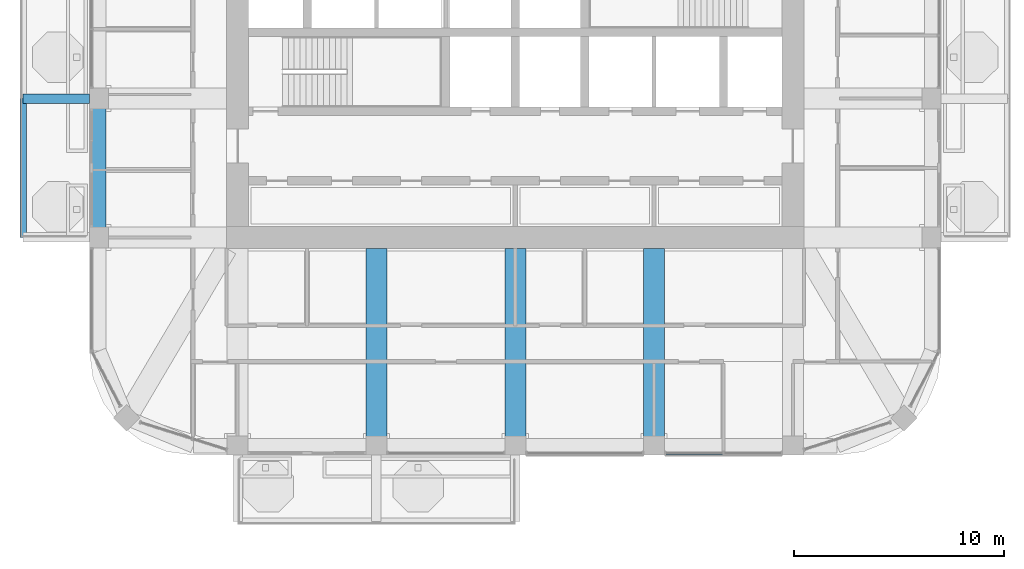
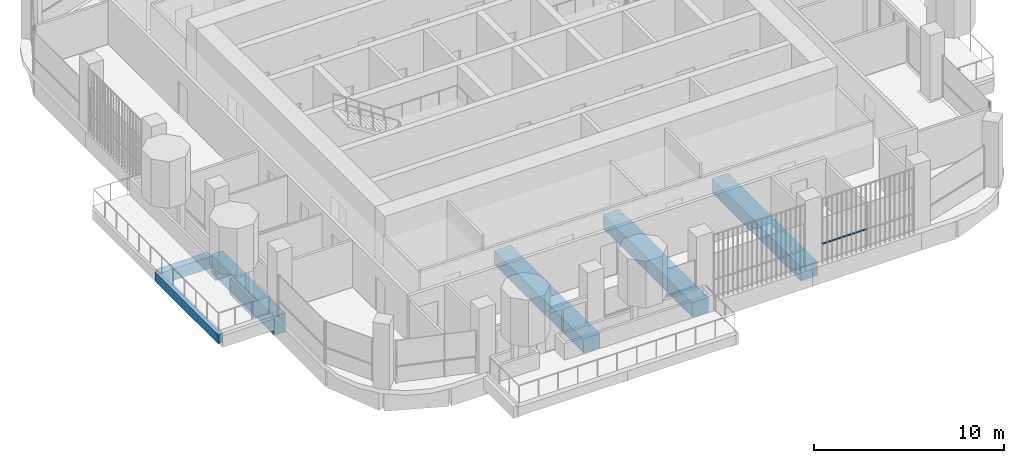
# One storey, part 3 of 20: 6 beams, 1 member, 1 element without a shape of its own.
"""IFC4 building model written with IfcOpenShell, lengths in metres."""

from ifc_helpers import new_model, si_unit, direction, frame, origin, origin_2d, place, context, subcontext, project, spatial, rectangle, extrude, material, material_profile, profile_set, type_object, element, aggregate, save


model = new_model("IFC4")

# Units and contexts
model_context = context("Model", 3, precision=1e-05, world=origin(), true_north=direction((0.0, 1.0)))
body_context = subcontext(model_context, "Body", "Model", "MODEL_VIEW")
ifc_project = project(units=[si_unit("LENGTHUNIT", "METRE"), si_unit("AREAUNIT", "SQUARE_METRE"), si_unit("VOLUMEUNIT", "CUBIC_METRE"), si_unit("PLANEANGLEUNIT", "RADIAN"), si_unit("MASSUNIT", "GRAM", prefix="KILO")], contexts=[model_context])

# Site, building, storey
site_placement = place(None, origin())
site = spatial("IfcSite", under=ifc_project, at=site_placement, CompositionType="ELEMENT")
building_placement = place(site_placement, origin())
building = spatial("IfcBuilding", under=site, at=building_placement, Name="Cobogo Forest Laboratory Tower", CompositionType="ELEMENT")
storey_placement = place(building_placement, frame((0.0, 0.0, 279.60009765625)))
storey = spatial("IfcBuildingStorey", under=building, at=storey_placement, Name="L64", CompositionType="ELEMENT", Elevation=279.60009765625)

# Beams
ifc_material_1 = material(Name="Concrete HA-40 (C40/50)", Category="concrete")
ifc_material_profile_1 = material_profile(ifc_material_1, rectangle(XDim=0.449951171875, YDim=0.75, at=origin_2d()), Name="RC 450x750")
ifc_profile_set_1 = profile_set([ifc_material_profile_1], Name="Concrete HA-40 (C40/50)")
beam_type_1 = type_object("IfcBeamType", Name="Balcony cantilever beam 450x750", PredefinedType="BEAM", material=ifc_profile_set_1)
beam_1_placement = place(storey_placement, frame((6.14990234375, 19.800048828125, -0.625), z_axis=(-1.0, 0.0, 0.0), x_axis=(0.0, -1.0, 0.0)))
element("IfcBeam", 1, at=beam_1_placement, inside=storey, type_object=beam_type_1, Name="CB1 BAL-W1-C2 L64", PredefinedType="BEAM", context=body_context, shape_type="SweptSolid", body=[
    extrude(rectangle(XDim=0.449951171875, YDim=0.75, at=origin_2d()), origin(), (0.0, 0.0, 1.0), 3.14990234375),
])
ifc_material_profile_2 = material_profile(ifc_material_1, rectangle(XDim=0.300048828125, YDim=0.60009765625, at=origin_2d()), Name="RC 300x600")
ifc_profile_set_2 = profile_set([ifc_material_profile_2], Name="Concrete HA-40 (C40/50)")
beam_type_2 = type_object("IfcBeamType", Name="Balcony edge beam 300x600", PredefinedType="BEAM", material=ifc_profile_set_2)
beam_2_placement = place(storey_placement, frame((3.0, 13.199951171875, -0.550048828125), z_axis=(0.0, 1.0, 0.0), x_axis=(-1.0, 0.0, 0.0)))
element("IfcBeam", 2, at=beam_2_placement, inside=storey, type_object=beam_type_2, Name="BB1 BAL-W1-T1 L64", PredefinedType="BEAM", context=body_context, shape_type="SweptSolid", body=[
    extrude(rectangle(XDim=0.300048828125, YDim=0.60009765625, at=origin_2d()), origin(), (0.0, 0.0, 1.0), 6.60009765625),
])
ifc_material_profile_3 = material_profile(ifc_material_1, rectangle(XDim=1.0, YDim=0.89990234375, at=origin_2d()), Name="RC 1000x900")
ifc_profile_set_3 = profile_set([ifc_material_profile_3], Name="Concrete HA-40 (C40/50)")
beam_type_3 = type_object("IfcBeamType", Name="Office floor wide beam 1000x900", PredefinedType="BEAM", material=ifc_profile_set_3)
for number, where, z_axis, x_axis, name in (
    (3, (19.800048828125, 12.675048828125, -0.75), (0.0, -1.0, 0.0), (1.0, 0.0, 0.0), "RB2 R-4-S L64"),
    (4, (26.39990234375, 12.675048828125, -0.75), (0.0, -1.0, 0.0), (1.0, 0.0, 0.0), "RB2 R-5-S L64"),
    (5, (33.0, 12.675048828125, -0.75), (0.0, -1.0, 0.0), (1.0, 0.0, 0.0), "RB2 R-6-S L64"),
):
    element("IfcBeam", number, at=place(storey_placement, frame(where, z_axis=z_axis, x_axis=x_axis)), inside=storey, type_object=beam_type_3, Name=name, PredefinedType="BEAM", context=body_context, shape_type="SweptSolid", body=[
        extrude(rectangle(XDim=1.0, YDim=0.89990234375, at=origin_2d()), origin(), (0.0, 0.0, 1.0), 9.375),
    ])
ifc_material_profile_4 = material_profile(ifc_material_1, rectangle(XDim=0.699951171875, YDim=1.199951171875, at=origin_2d()), Name="RC 700x1200")
ifc_profile_set_4 = profile_set([ifc_material_profile_4], Name="Concrete HA-40 (C40/50)")
beam_type_4 = type_object("IfcBeamType", Name="Perimeter edge beam 700x1200", PredefinedType="BEAM", material=ifc_profile_set_4)
beam_3_placement = place(storey_placement, frame((6.60009765625, 13.199951171875, -0.900146484375), z_axis=(0.0, 1.0, 0.0), x_axis=(-1.0, 0.0, 0.0)))
element("IfcBeam", 6, at=beam_3_placement, inside=storey, type_object=beam_type_4, Name="EB1 E-W1 L64", PredefinedType="BEAM", context=body_context, shape_type="SweptSolid", body=[
    extrude(rectangle(XDim=0.699951171875, YDim=1.199951171875, at=origin_2d()), origin(), (0.0, 0.0, 1.0), 6.60009765625),
])

# Curtain wall, member
ifc_material_2 = material(Name="Aluminium curtain wall", Category="aluminium")
curtain_wall_type = type_object("IfcCurtainWallType", Name="CW-2 unitised curtain wall, solar control glazing, laboratory floors zones C and D", PredefinedType="USERDEFINED", material=ifc_material_2)
curtain_wall_placement = place(storey_placement, origin())
curtain_wall = element("IfcCurtainWall", 7, at=curtain_wall_placement, inside=storey, type_object=curtain_wall_type, Name="Curtain wall 04 L64", ObjectType="UNITISED CURTAIN WALL", PredefinedType="USERDEFINED")
ifc_material_3 = material(Name="Aluminium transom", Category="aluminium")
ifc_material_profile_5 = material_profile(ifc_material_3, rectangle(XDim=0.1201171875, YDim=0.06005859375, at=origin_2d()), Name="AL 60x120")
ifc_profile_set_5 = profile_set([ifc_material_profile_5], Name="Aluminium transom")
member_type = type_object("IfcMemberType", Name="TR-1 aluminium transom 60x120", PredefinedType="USERDEFINED", material=ifc_profile_set_5)
member_placement = place(storey_placement, frame((33.56005859375, 2.949951171875, 1.0498046875), z_axis=(1.0, 0.0, 0.0), x_axis=(0.0, 1.0, 0.0)))
member = element("IfcMember", 8, at=member_placement, type_object=member_type, Name="CW-2 transom 1.1", ObjectType="TRANSOM", PredefinedType="USERDEFINED", context=body_context, shape_type="SweptSolid", body=[
    extrude(rectangle(XDim=0.1201171875, YDim=0.06005859375, at=origin_2d()), origin(), (0.0, 0.0, 1.0), 2.7099609375),
])
aggregate(curtain_wall, [member])

save(model, "model.ifc")
